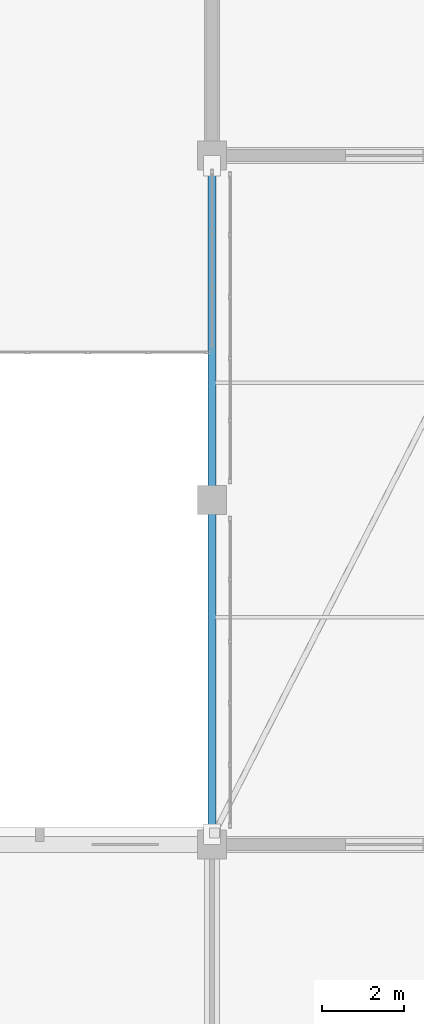
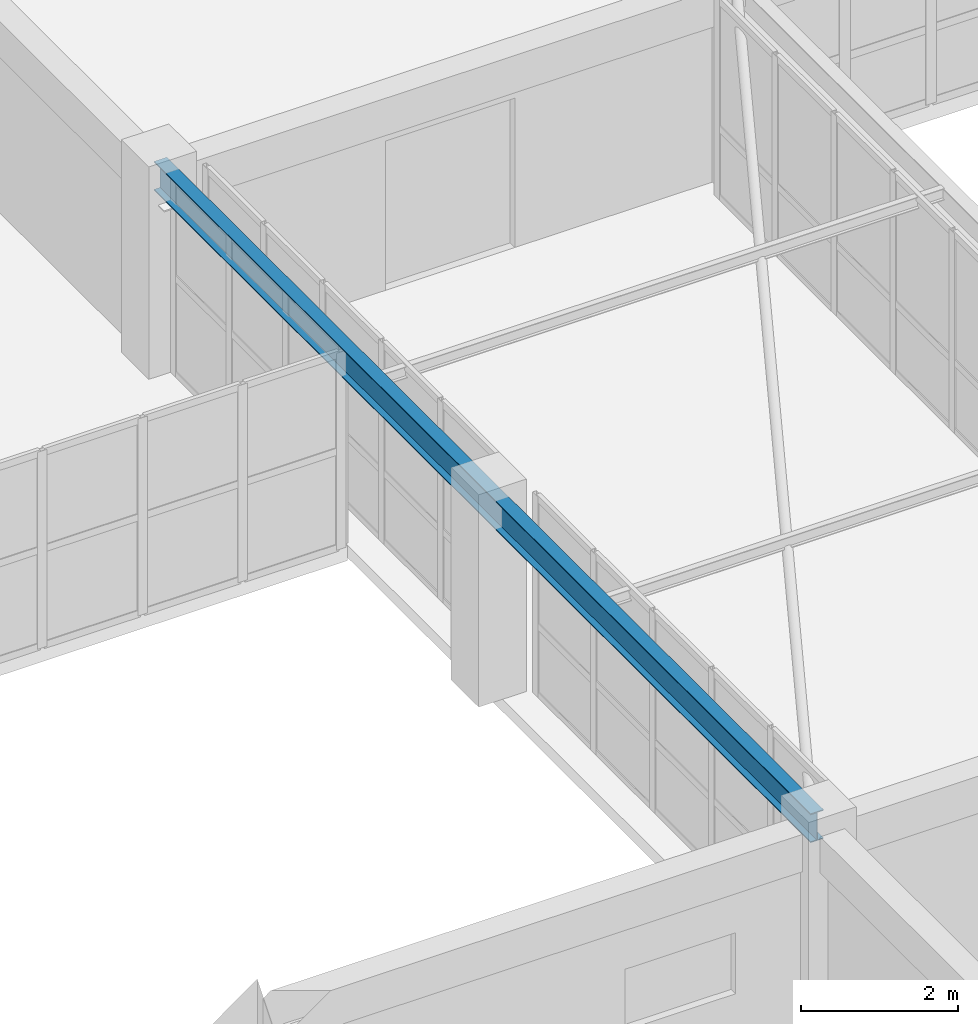
# One storey, part 34 of 148: 1 beam.
"""IFC4 building model written with IfcOpenShell, lengths in metres."""

import ifcopenshell
import ifcopenshell.guid

model = None  # the IFC model being written
_history = None  # IfcOwnerHistory: only IFC2X3 demands one
_inside = {}  # id of a spatial element -> (the spatial element, [elements in it])
_under = {}  # id of a project, library or spatial element -> (it, [spatial elements below it])
_declared = {}  # id of a project -> (the project, [libraries it declares])
_typed = {}  # id of a type object -> (the type object, [elements of that type])
_made_of = {}  # id of a material, layer set ... -> (it, [elements and type objects made of it])


def new_model(schema):
    """Start an empty IFC model of exactly this schema.

    Asked for "IFC4X3", IfcOpenShell would pick the latest addendum, in which some entities
    have other attributes; the version numbers below select the first issue.
    IFC2X3 requires an IfcOwnerHistory on every rooted entity: one is made here for all.
    """
    global model, _history
    if schema == "IFC4X3":
        model = ifcopenshell.file(schema_version=(4, 3, 0, 0))
    else:
        model = ifcopenshell.file(schema=schema)
    _inside.clear()
    _under.clear()
    _declared.clear()
    _typed.clear()
    _made_of.clear()
    _history = None
    if model.schema == "IFC2X3":
        org = make("IfcOrganization", Name="unknown")
        user = make(
            "IfcPersonAndOrganization",
            ThePerson=make("IfcPerson", FamilyName="unknown"),
            TheOrganization=org,
        )
        app = make(
            "IfcApplication",
            ApplicationDeveloper=org,
            Version="unknown",
            ApplicationFullName="unknown",
            ApplicationIdentifier="unknown",
        )
        _history = make(
            "IfcOwnerHistory",
            OwningUser=user,
            OwningApplication=app,
            ChangeAction="ADDED",
            CreationDate=0,
        )
    return model


def make(cls, **values):
    """One entity of the class cls with the attributes given. An attribute that is None is left unset."""
    return model.create_entity(
        cls, **{name: value for name, value in values.items() if value is not None}
    )


def rooted(cls, **values):
    """An entity with a GlobalId (a new one), such as an element, a storey or a relation."""
    return make(cls, GlobalId=ifcopenshell.guid.new(), OwnerHistory=_history, **values)


def si_unit(unit_type, name, prefix=None):
    """IfcSIUnit, for example si_unit("LENGTHUNIT", "METRE", prefix="MILLI")."""
    return make("IfcSIUnit", UnitType=unit_type, Prefix=prefix, Name=name)


def assignment(units):
    """IfcUnitAssignment: the units of a project."""
    return None if units is None else make("IfcUnitAssignment", Units=units)


def point(xyz):
    """IfcCartesianPoint."""
    return None if xyz is None else make("IfcCartesianPoint", Coordinates=xyz)


def direction(xyz):
    """IfcDirection."""
    return None if xyz is None else make("IfcDirection", DirectionRatios=xyz)


def frame(location, z_axis=None, x_axis=None):
    """IfcAxis2Placement3D, a coordinate frame: its origin and axes. An axis left out is left unset."""
    return make(
        "IfcAxis2Placement3D",
        Location=point(location),
        Axis=direction(z_axis),
        RefDirection=direction(x_axis),
    )


def frame_2d(location, x_axis=None):
    """IfcAxis2Placement2D, a coordinate frame in the plane: its origin and x axis."""
    return make(
        "IfcAxis2Placement2D", Location=point(location), RefDirection=direction(x_axis)
    )


def origin():
    """The frame at (0, 0, 0) with its axes left unset."""
    return frame((0.0, 0.0, 0.0))


def origin_2d():
    """The frame at (0, 0) in the plane with its x axis left unset."""
    return frame_2d((0.0, 0.0))


def place(relative_to, where):
    """IfcLocalPlacement: puts the frame where relative to a parent placement (None: the world)."""
    return make(
        "IfcLocalPlacement", PlacementRelTo=relative_to, RelativePlacement=where
    )


def context(
    kind, dimensions, precision=None, world=None, true_north=None, identifier=None
):
    """IfcGeometricRepresentationContext, for example the 3D "Model" context."""
    return make(
        "IfcGeometricRepresentationContext",
        ContextIdentifier=identifier,
        ContextType=kind,
        CoordinateSpaceDimension=dimensions,
        Precision=precision,
        WorldCoordinateSystem=world,
        TrueNorth=true_north,
    )


def subcontext(parent, identifier, kind, view, scale=None):
    """IfcGeometricRepresentationSubContext, for example "Body" below "Model"."""
    return make(
        "IfcGeometricRepresentationSubContext",
        ContextIdentifier=identifier,
        ContextType=kind,
        ParentContext=parent,
        TargetScale=scale,
        TargetView=view,
    )


def project(units=None, contexts=None):
    """IfcProject with its units and contexts."""
    return rooted(
        "IfcProject",
        Name="project",
        RepresentationContexts=contexts,
        UnitsInContext=assignment(units),
    )


def spatial(cls, under=None, at=None, **own):
    """A site, building, storey or space (cls), placed at a placement, below another one or the project."""
    s = rooted(cls, ObjectPlacement=at, **own)
    if under is not None:
        _under.setdefault(under.id(), (under, []))[1].append(s)
    return s


def profile(cls, at=None, kind="AREA", **sizes):
    """A parametric profile (cls). Its sizes go by their IFC names, for example OverallWidth=200.0."""
    return make(cls, ProfileType=kind, Position=at, **sizes)


def i_section(**sizes):
    """IfcIShapeProfileDef."""
    return profile("IfcIShapeProfileDef", **sizes)


def extrude(swept, where, along, depth):
    """IfcExtrudedAreaSolid: the profile swept, set in the frame where, extruded along a direction by depth."""
    return make(
        "IfcExtrudedAreaSolid",
        SweptArea=swept,
        Position=where,
        ExtrudedDirection=direction(along),
        Depth=depth,
    )


def shape(context_of_items, identifier, shape_type, items):
    """IfcShapeRepresentation: the items that make up one representation, for example the "Body"."""
    return make(
        "IfcShapeRepresentation",
        ContextOfItems=context_of_items,
        RepresentationIdentifier=identifier,
        RepresentationType=shape_type,
        Items=items,
    )


def material(Name=None, Category=None):
    """IfcMaterial."""
    return make("IfcMaterial", Name=Name, Category=Category)


def material_profile(
    of_material, cross_section, Name=None, Category=None, Priority=None
):
    """IfcMaterialProfile: a cross section and its material."""
    return make(
        "IfcMaterialProfile",
        Name=Name,
        Material=of_material,
        Profile=cross_section,
        Priority=Priority,
        Category=Category,
    )


def profile_set(profiles, Name=None, composite=None):
    """IfcMaterialProfileSet."""
    return make(
        "IfcMaterialProfileSet",
        Name=Name,
        MaterialProfiles=profiles,
        CompositeProfile=composite,
    )


def made_of(thing, what):
    """Note that an element or type object is made of a material, layer set ...; save() writes the relation."""
    if what is not None:
        _made_of.setdefault(what.id(), (what, []))[1].append(thing)
    return thing


def type_object(cls, material=None, **own):
    """A type object (cls), such as IfcWallType, which elements share."""
    return made_of(rooted(cls, **own), material)


def element(
    cls,
    number,
    at=None,
    inside=None,
    cuts=None,
    type_object=None,
    material=None,
    context=None,
    identifier="Body",
    shape_type=None,
    held_by="IfcProductDefinitionShape",
    body=None,
    shapes=None,
    **own,
):
    """One element of the class cls, such as IfcWall. Its Tag is "e" and its number.

    at: its placement. inside: the storey or other place that contains it. cuts: it is an
    opening in that element (IfcRelVoidsElement). A single representation is given by context,
    identifier, shape_type and body (its items); several are given by shapes. held_by: the class
    of the entity that holds the representations. save() writes the other relations.
    """
    e = rooted(cls, Tag="e%d" % number, ObjectPlacement=at, **own)
    if body is not None:
        shapes = [shape(context, identifier, shape_type, body)]
    if shapes is not None:
        e.Representation = make(held_by, Representations=shapes)
    if inside is not None:
        _inside.setdefault(inside.id(), (inside, []))[1].append(e)
    if cuts is not None:
        rooted(
            "IfcRelVoidsElement", RelatingBuildingElement=cuts, RelatedOpeningElement=e
        )
    if type_object is not None:
        _typed.setdefault(type_object.id(), (type_object, []))[1].append(e)
    return made_of(e, material)


def aggregate(whole, parts):
    """IfcRelAggregates: a whole, such as a stair, and the parts it consists of."""
    return rooted("IfcRelAggregates", RelatingObject=whole, RelatedObjects=parts)


def save(model, path):
    """Write the relations noted so far, then the file.

    IfcRelAggregates (storeys below a building ...), IfcRelContainedInSpatialStructure (elements
    in a storey), IfcRelDefinesByType, IfcRelAssociatesMaterial and IfcRelDeclares: one each for
    every whole, place, type object, material and project.
    """
    for whole, parts in _under.values():
        aggregate(whole, parts)
    for where, things in _inside.values():
        rooted(
            "IfcRelContainedInSpatialStructure",
            RelatedElements=things,
            RelatingStructure=where,
        )
    for kind, things in _typed.values():
        rooted("IfcRelDefinesByType", RelatedObjects=things, RelatingType=kind)
    for what, things in _made_of.values():
        rooted("IfcRelAssociatesMaterial", RelatedObjects=things, RelatingMaterial=what)
    for by, libraries in _declared.values():
        rooted("IfcRelDeclares", RelatingContext=by, RelatedDefinitions=libraries)
    model.write(path)


model = new_model("IFC4")

# Units and contexts
model_context = context("Model", 3, precision=1e-05, world=origin(), true_north=direction((0.0, 1.0)))
body_context = subcontext(model_context, "Body", "Model", "MODEL_VIEW")
ifc_project = project(units=[si_unit("LENGTHUNIT", "METRE"), si_unit("AREAUNIT", "SQUARE_METRE"), si_unit("VOLUMEUNIT", "CUBIC_METRE"), si_unit("PLANEANGLEUNIT", "RADIAN"), si_unit("MASSUNIT", "GRAM", prefix="KILO")], contexts=[model_context])

# Site, building, storey
site_placement = place(None, origin())
site = spatial("IfcSite", under=ifc_project, at=site_placement, CompositionType="ELEMENT")
building_placement = place(site_placement, origin())
building = spatial("IfcBuilding", under=site, at=building_placement, Name="Trelvath General Hospital", CompositionType="ELEMENT")
storey_placement = place(building_placement, frame((0.0, 0.0, 12.89990234375)))
storey = spatial("IfcBuildingStorey", under=building, at=storey_placement, Name="L03", CompositionType="ELEMENT", Elevation=12.89990234375)

# Beam
ifc_material = material(Name="Steel S355", Category="steel")
ifc_material_profile = material_profile(ifc_material, i_section(OverallWidth=0.18994140625, OverallDepth=0.449951171875, WebThickness=0.009521484375, FlangeThickness=0.0146484375, at=origin_2d()), Name="IPE450")
ifc_profile_set = profile_set([ifc_material_profile], Name="Steel S355")
beam_type = type_object("IfcBeamType", Name="BridgeGirder IPE450", PredefinedType="BEAM", material=ifc_profile_set)
beam_placement = place(storey_placement, frame((75.60009765625, 25.239990234375, 2.885009765625), z_axis=(0.0, 1.0, 0.0), x_axis=(-1.0, 0.0, 0.0)))
element("IfcBeam", 1, at=beam_placement, inside=storey, type_object=beam_type, Name="Bridge Girder BRG-S-C W L04", PredefinedType="BEAM", context=body_context, shape_type="SweptSolid", body=[
    extrude(i_section(OverallWidth=0.18994140625, OverallDepth=0.449951171875, WebThickness=0.009521484375, FlangeThickness=0.0146484375, at=origin_2d()), origin(), (0.0, 0.0, 1.0), 16.719970703125),
])

save(model, "model.ifc")
